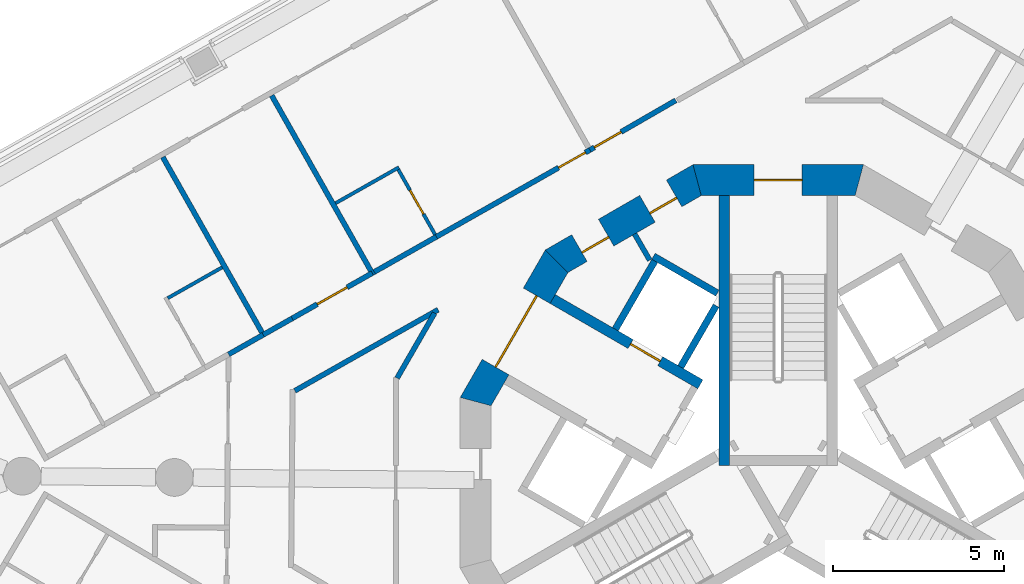
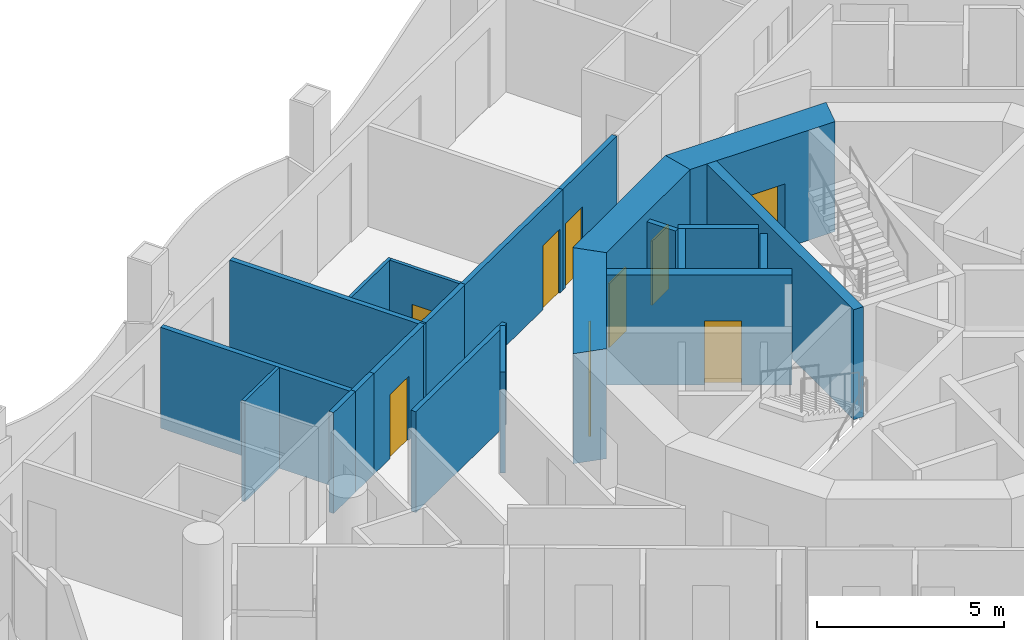
# One storey, part 7 of 17: 22 walls, 9 doors, 9 openings.
"""IFC4 building model written with IfcOpenShell, lengths in metres."""

from ifc_helpers import new_model, si_unit, direction, frame, frame_2d, origin, place, context, subcontext, project, spatial, polyline, rectangle, outline, extrude, material, layer, layer_set, type_object, element, fill, save


model = new_model("IFC4")

# Units and contexts
model_context = context("Model", 3, precision=1e-05, world=origin(), true_north=direction((0.0, 1.0)))
body_context = subcontext(model_context, "Body", "Model", "MODEL_VIEW")
ifc_project = project(units=[si_unit("LENGTHUNIT", "METRE"), si_unit("AREAUNIT", "SQUARE_METRE"), si_unit("VOLUMEUNIT", "CUBIC_METRE"), si_unit("PLANEANGLEUNIT", "RADIAN"), si_unit("MASSUNIT", "GRAM", prefix="KILO")], contexts=[model_context])

# Site, building, storey
site_placement = place(None, origin())
site = spatial("IfcSite", under=ifc_project, at=site_placement, CompositionType="ELEMENT")
building_placement = place(site_placement, origin())
building = spatial("IfcBuilding", under=site, at=building_placement, Name="Trine Commons Tower", CompositionType="ELEMENT")
storey_placement = place(building_placement, frame((0.0, 0.0, 182.699951171875)))
storey = spatial("IfcBuildingStorey", under=building, at=storey_placement, Name="L47", CompositionType="ELEMENT", Elevation=182.699951171875)

# Wall
ifc_material_1 = material(Name="Plasterboard partition on steel studs", Category="steel")
ifc_layer_1 = layer(ifc_material_1, 0.14990234375)
ifc_layer_set_1 = layer_set([ifc_layer_1], Name="Plasterboard partition on steel studs")
wall_type_1 = type_object("IfcWallType", Name="Core room partition 150 mm, EI 60", PredefinedType="PARTITIONING", material=ifc_layer_set_1)
wall_1_placement = place(storey_placement, frame((75.81396484375, 69.7509765625, 0.0), z_axis=(0.0, 0.0, 1.0), x_axis=(0.499890179513, -0.866088799389, 0.0)))
element("IfcWall", 1, at=wall_1_placement, inside=storey, type_object=wall_type_1, Name="Core room partition L47", PredefinedType="PARTITIONING", context=body_context, shape_type="SweptSolid", body=[
    extrude(rectangle(XDim=0.882080078125, YDim=0.14990234375, at=frame_2d((0.44091796875, 0.0))), origin(), (0.0, 0.0, 1.0), 3.300048828125),
])

# Wall, opening, door
ifc_material_2 = material(Name="Concrete C60/75", Category="concrete")
ifc_layer_2 = layer(ifc_material_2, 0.300048828125)
ifc_layer_set_2 = layer_set([ifc_layer_2], Name="Concrete C60/75")
wall_type_2 = type_object("IfcWallType", Name="RC shear wall 300 mm, C60/75", PredefinedType="SHEAR", material=ifc_layer_set_2)
wall_2_placement = place(storey_placement, frame((77.73095703125, 65.368896484375, 0.0), z_axis=(0.0, 0.0, 1.0), x_axis=(-0.865983655544, 0.500072303102, 0.0)))
wall_2 = element("IfcWall", 2, at=wall_2_placement, inside=storey, type_object=wall_type_2, Name="Core cross wall SWB-02 L47", PredefinedType="SHEAR", context=body_context, shape_type="SweptSolid", body=[
    extrude(rectangle(XDim=4.973388671875, YDim=0.300048828125, at=frame_2d((2.48681640625, 0.0))), origin(), (0.0, 0.0, 1.0), 3.60009765625),
])
opening_1_placement = place(wall_2_placement, frame((1.3505859375, 0.0, 0.0)))
opening_1 = element("IfcOpeningElement", 3, at=opening_1_placement, cuts=wall_2, Name="Opening LD8", PredefinedType="OPENING", context=body_context, shape_type="SweptSolid", body=[
    extrude(rectangle(XDim=1.0, YDim=2.10009765625, at=frame_2d((0.5, 1.050048828125))), frame((0.0, 0.159912109375, 0.0), z_axis=(0.0, -1.0, 0.0), x_axis=(1.0, 0.0, 0.0)), (0.0, 0.0, 1.0), 0.320068359375),
])
ifc_material_3 = material(Name="Stainless steel sliding door leaves", Category="steel")
door_type_1 = type_object("IfcDoorType", Name="Lift landing door, centre-opening sliding 1000 x 2100, FD90", OperationType="DOUBLE_DOOR_SLIDING", PredefinedType="DOOR", material=ifc_material_3)
door_1_placement = place(opening_1_placement, origin())
door_1 = element("IfcDoor", 4, at=door_1_placement, inside=storey, type_object=door_type_1, Name="Lift landing door HR4 L47", OperationType="DOUBLE_DOOR_SLIDING", OverallHeight=2.10009765625, OverallWidth=1.0, PredefinedType="DOOR", context=body_context, shape_type="SweptSolid", body=[
    extrude(rectangle(XDim=1.0, YDim=2.10009765625, at=frame_2d((0.5, 1.050048828125))), frame((0.0, 0.02490234375, 0.0), z_axis=(0.0, -1.0, 0.0), x_axis=(1.0, 0.0, 0.0)), (0.0, 0.0, 1.0), 0.050048828125),
])
fill(opening_1, door_1)

# Wall
wall_3_placement = place(storey_placement, frame((78.425048828125, 63.0009765625, 0.0), z_axis=(0.0, 0.0, 1.0), x_axis=(0.0, 1.0, 0.0)))
element("IfcWall", 5, at=wall_3_placement, inside=storey, type_object=wall_type_2, Name="Core cross wall SWB-08 L47", PredefinedType="SHEAR", context=body_context, shape_type="SweptSolid", body=[
    extrude(rectangle(XDim=7.8720703125, YDim=0.300048828125, at=frame_2d((3.93603515625, 0.0))), origin(), (0.0, 0.0, 1.0), 3.60009765625),
])

# Wall, opening, door
ifc_layer_3 = layer(ifc_material_2, 0.89990234375)
ifc_layer_set_3 = layer_set([ifc_layer_3], Name="Concrete C60/75")
wall_type_3 = type_object("IfcWallType", Name="RC shear wall 900 mm, C60/75", PredefinedType="SHEAR", material=ifc_layer_set_3)
wall_4_placement = place(storey_placement, frame((82.484619140625, 71.322998046875, 0.0), z_axis=(0.0, 0.0, 1.0), x_axis=(-1.0, 0.0, 0.0)))
wall_4 = element("IfcWall", 6, at=wall_4_placement, inside=storey, type_object=wall_type_3, Name="Core wall CWE-04 L47", PredefinedType="SHEAR", context=body_context, shape_type="SweptSolid", body=[
    extrude(outline(polyline([(0.0, -0.449951171875), (4.969482421875, -0.449951171875), (4.728271484375, 0.449951171875), (0.2412109375, 0.449951171875), (0.0, -0.449951171875)])), origin(), (0.0, 0.0, 1.0), 3.60009765625),
])
opening_2_placement = place(wall_4_placement, frame((1.78466796875, 0.0, 0.0)))
opening_2 = element("IfcOpeningElement", 7, at=opening_2_placement, cuts=wall_4, Name="Opening K10.01", PredefinedType="OPENING", context=body_context, shape_type="SweptSolid", body=[
    extrude(rectangle(XDim=1.39990234375, YDim=2.10009765625, at=frame_2d((0.699951171875, 1.050048828125))), frame((0.0, 0.4599609375, 0.0), z_axis=(0.0, -1.0, 0.0), x_axis=(1.0, 0.0, 0.0)), (0.0, 0.0, 1.0), 0.919921875),
])
ifc_material_4 = material(Name="Steel door leaves, fire-rated", Category="steel")
door_type_2 = type_object("IfcDoorType", Name="Stair door, double leaf 1400 x 2100, FD90", OperationType="DOUBLE_DOOR_SINGLE_SWING", PredefinedType="DOOR", material=ifc_material_4)
door_2_placement = place(opening_2_placement, origin())
door_2 = element("IfcDoor", 8, at=door_2_placement, inside=storey, type_object=door_type_2, Name="Stair door to Exit stair ST1B L47", OperationType="DOUBLE_DOOR_SINGLE_SWING", OverallHeight=2.10009765625, OverallWidth=1.39990234375, PredefinedType="DOOR", context=body_context, shape_type="SweptSolid", body=[
    extrude(rectangle(XDim=1.39990234375, YDim=2.10009765625, at=frame_2d((0.699951171875, 1.050048828125))), frame((0.0, 0.02490234375, 0.0), z_axis=(0.0, -1.0, 0.0), x_axis=(1.0, 0.0, 0.0)), (0.0, 0.0, 1.0), 0.050048828125),
])
fill(opening_2, door_2)

# Wall, openings, doors
wall_5_placement = place(storey_placement, frame((77.740234375, 71.38330078125, 0.0), z_axis=(0.0, 0.0, 1.0), x_axis=(-0.866003133579, -0.500038571144, 0.0)))
wall_5 = element("IfcWall", 9, at=wall_5_placement, inside=storey, type_object=wall_type_3, Name="Core wall CWE-05 L47", PredefinedType="SHEAR", context=body_context, shape_type="SweptSolid", body=[
    extrude(outline(polyline([(0.0, -0.449951171875), (4.96923828125, -0.449951171875), (4.72802734375, 0.449951171875), (0.2412109375, 0.449951171875), (0.0, -0.449951171875)])), origin(), (0.0, 0.0, 1.0), 3.60009765625),
])
opening_3_placement = place(wall_5_placement, frame((0.89501953125, 0.0, 0.0)))
opening_3 = element("IfcOpeningElement", 10, at=opening_3_placement, cuts=wall_5, Name="Opening K10.13", PredefinedType="OPENING", context=body_context, shape_type="SweptSolid", body=[
    extrude(rectangle(XDim=0.89990234375, YDim=2.10009765625, at=frame_2d((0.449951171875, 1.050048828125))), frame((0.0, 0.4599609375, 0.0), z_axis=(0.0, -1.0, 0.0), x_axis=(1.0, 0.0, 0.0)), (0.0, 0.0, 1.0), 0.919921875),
])
opening_4_placement = place(wall_5_placement, frame((3.18408203125, 0.0, 0.0)))
opening_4 = element("IfcOpeningElement", 11, at=opening_4_placement, cuts=wall_5, Name="Opening K10.14", PredefinedType="OPENING", context=body_context, shape_type="SweptSolid", body=[
    extrude(rectangle(XDim=0.89990234375, YDim=2.10009765625, at=frame_2d((0.449951171875, 1.050048828125))), frame((0.0, 0.4599609375, 0.0), z_axis=(0.0, -1.0, 0.0), x_axis=(1.0, 0.0, 0.0)), (0.0, 0.0, 1.0), 0.919921875),
])
ifc_material_5 = material(Name="Steel door leaf, fire-rated", Category="steel")
door_type_3 = type_object("IfcDoorType", Name="Core room door, single leaf 900 x 2100, FD30S", OperationType="SINGLE_SWING_LEFT", PredefinedType="DOOR", material=ifc_material_5)
door_3_placement = place(opening_3_placement, origin())
door_3 = element("IfcDoor", 12, at=door_3_placement, inside=storey, type_object=door_type_3, Name="Door to Parcel store L47", OperationType="SINGLE_SWING_LEFT", OverallHeight=2.10009765625, OverallWidth=0.89990234375, PredefinedType="DOOR", context=body_context, shape_type="SweptSolid", body=[
    extrude(rectangle(XDim=0.89990234375, YDim=2.10009765625, at=frame_2d((0.449951171875, 1.050048828125))), frame((0.0, 0.1748046875, 0.0), z_axis=(0.0, -1.0, 0.0), x_axis=(1.0, 0.0, 0.0)), (0.0, 0.0, 1.0), 0.050048828125),
])
fill(opening_3, door_3)
door_4_placement = place(opening_4_placement, origin())
door_4 = element("IfcDoor", 13, at=door_4_placement, inside=storey, type_object=door_type_3, Name="Door to Print room L47", OperationType="SINGLE_SWING_RIGHT", OverallHeight=2.10009765625, OverallWidth=0.89990234375, PredefinedType="DOOR", context=body_context, shape_type="SweptSolid", body=[
    extrude(rectangle(XDim=0.89990234375, YDim=2.10009765625, at=frame_2d((0.449951171875, 1.050048828125))), frame((0.0, 0.1748046875, 0.0), z_axis=(0.0, -1.0, 0.0), x_axis=(1.0, 0.0, 0.0)), (0.0, 0.0, 1.0), 0.050048828125),
])
fill(opening_4, door_4)

# Wall, opening, door
wall_6_placement = place(storey_placement, frame((73.6015625, 69.063232421875, 0.0), z_axis=(0.0, 0.0, 1.0), x_axis=(-0.500038571144, -0.866003133579, 0.0)))
wall_6 = element("IfcWall", 14, at=wall_6_placement, inside=storey, type_object=wall_type_3, Name="Core wall CWE-06 L47", PredefinedType="SHEAR", context=body_context, shape_type="SweptSolid", body=[
    extrude(outline(polyline([(0.0, -0.449951171875), (4.96923828125, -0.449951171875), (4.72802734375, 0.449951171875), (0.2412109375, 0.449951171875), (0.0, -0.449951171875)])), origin(), (0.0, 0.0, 1.0), 3.60009765625),
])
opening_5_placement = place(wall_6_placement, frame((1.28466796875, 0.0, 0.0)))
opening_5 = element("IfcOpeningElement", 15, at=opening_5_placement, cuts=wall_6, Name="Opening K10.06", PredefinedType="OPENING", context=body_context, shape_type="SweptSolid", body=[
    extrude(rectangle(XDim=2.39990234375, YDim=2.10009765625, at=frame_2d((1.199951171875, 1.050048828125))), frame((0.0, 0.4599609375, 0.0), z_axis=(0.0, -1.0, 0.0), x_axis=(1.0, 0.0, 0.0)), (0.0, 0.0, 1.0), 0.919921875),
])
door_type_4 = type_object("IfcDoorType", Name="Lobby door, double leaf 2400 x 2100, FD60", OperationType="DOUBLE_DOOR_SINGLE_SWING", PredefinedType="DOOR", material=ifc_material_4)
door_5_placement = place(opening_5_placement, origin())
door_5 = element("IfcDoor", 16, at=door_5_placement, inside=storey, type_object=door_type_4, Name="Lobby door, Passenger lift lobby B L47", OperationType="DOUBLE_DOOR_SINGLE_SWING", OverallHeight=2.10009765625, OverallWidth=2.39990234375, PredefinedType="DOOR", context=body_context, shape_type="SweptSolid", body=[
    extrude(rectangle(XDim=2.39990234375, YDim=2.10009765625, at=frame_2d((1.199951171875, 1.050048828125))), frame((0.0, 0.02490234375, 0.0), z_axis=(0.0, -1.0, 0.0), x_axis=(1.0, 0.0, 0.0)), (0.0, 0.0, 1.0), 0.050048828125),
])
fill(opening_5, door_5)

# Walls
ifc_material_6 = material(Name="Fire-rated gypsum shaft wall system")
ifc_layer_4 = layer(ifc_material_6, 0.199951171875)
ifc_layer_set_4 = layer_set([ifc_layer_4], Name="Fire-rated gypsum shaft wall system")
wall_type_4 = type_object("IfcWallType", Name="Shaft wall 200 mm, EI 120", PredefinedType="PARTITIONING", material=ifc_layer_set_4)
wall_7_placement = place(storey_placement, frame((75.2509765625, 66.97412109375, 0.0), z_axis=(0.0, 0.0, 1.0), x_axis=(0.500136062276, 0.86594683394, 0.0)))
element("IfcWall", 17, at=wall_7_placement, inside=storey, type_object=wall_type_4, Name="Shaft wall L47", PredefinedType="PARTITIONING", context=body_context, shape_type="SweptSolid", body=[
    extrude(rectangle(XDim=2.299072265625, YDim=0.199951171875, at=frame_2d((1.1494140625, 0.0))), origin(), (0.0, 0.0, 1.0), 3.300048828125),
])
wall_8_placement = place(storey_placement, frame((77.156005859375, 65.8740234375, 0.0), z_axis=(0.0, 0.0, 1.0), x_axis=(0.499865770674, 0.866102887253, 0.0)))
element("IfcWall", 18, at=wall_8_placement, inside=storey, type_object=wall_type_4, Name="Shaft wall L47", PredefinedType="PARTITIONING", context=body_context, shape_type="SweptSolid", body=[
    extrude(rectangle(XDim=2.064453125, YDim=0.199951171875, at=frame_2d((1.0322265625, 0.0))), origin(), (0.0, 0.0, 1.0), 3.300048828125),
])
wall_9_placement = place(storey_placement, frame((78.22509765625, 68.028076171875, 0.0), z_axis=(0.0, 0.0, 1.0), x_axis=(-0.866130725101, 0.499817533742, 0.0)))
element("IfcWall", 19, at=wall_9_placement, inside=storey, type_object=wall_type_4, Name="Shaft wall L47", PredefinedType="PARTITIONING", context=body_context, shape_type="SweptSolid", body=[
    extrude(rectangle(XDim=2.148681640625, YDim=0.199951171875, at=frame_2d((1.07421875, 0.0))), origin(), (0.0, 0.0, 1.0), 3.300048828125),
])
ifc_material_7 = material(Name="Gypsum plasterboard on steel stud", Category="steel")
ifc_layer_5 = layer(ifc_material_7, 0.14990234375)
ifc_layer_set_5 = layer_set([ifc_layer_5], Name="Gypsum plasterboard on steel stud")
wall_type_5 = type_object("IfcWallType", Name="Unit and corridor wall 150 mm, EI 60", PredefinedType="PARTITIONING", material=ifc_layer_set_5)
wall_10_placement = place(storey_placement, frame((62.0576171875, 71.9931640625, 0.0), z_axis=(0.0, 0.0, 1.0), x_axis=(0.492391211334, -0.870373997199, 0.0)))
element("IfcWall", 20, at=wall_10_placement, inside=storey, type_object=wall_type_5, Name="Partition 015", PredefinedType="PARTITIONING", context=body_context, shape_type="SweptSolid", body=[
    extrude(rectangle(XDim=5.949462890625, YDim=0.14990234375, at=frame_2d((2.974609375, 0.0))), origin(), (0.0, 0.0, 1.0), 3.300048828125),
])
wall_11_placement = place(storey_placement, frame((63.97607421875, 66.242919921875, 0.0), z_axis=(0.0, 0.0, 1.0), x_axis=(0.870234820761, 0.492637145102, 0.0)))
element("IfcWall", 21, at=wall_11_placement, inside=storey, type_object=wall_type_5, Name="Partition 022", PredefinedType="PARTITIONING", context=body_context, shape_type="SweptSolid", body=[
    extrude(rectangle(XDim=1.1650390625, YDim=0.14990234375, at=frame_2d((0.58251953125, 0.0))), origin(), (0.0, 0.0, 1.0), 3.300048828125),
])
wall_12_placement = place(storey_placement, frame((64.98388671875, 66.81298828125, 0.0), z_axis=(0.0, 0.0, 1.0), x_axis=(0.870488073498, 0.492189510145, 0.0)))
element("IfcWall", 22, at=wall_12_placement, inside=storey, type_object=wall_type_5, Name="Partition 024", PredefinedType="PARTITIONING", context=body_context, shape_type="SweptSolid", body=[
    extrude(rectangle(XDim=0.97314453125, YDim=0.14990234375, at=frame_2d((0.486572265625, 0.0))), origin(), (0.0, 0.0, 1.0), 3.300048828125),
])
wall_13_placement = place(storey_placement, frame((65.231689453125, 73.789306640625, 0.0), z_axis=(0.0, 0.0, 1.0), x_axis=(0.492495148892, -0.870315189065, 0.0)))
element("IfcWall", 23, at=wall_13_placement, inside=storey, type_object=wall_type_5, Name="Partition 026", PredefinedType="PARTITIONING", context=body_context, shape_type="SweptSolid", body=[
    extrude(rectangle(XDim=6.02490234375, YDim=0.14990234375, at=frame_2d((3.012451171875, 0.0))), origin(), (0.0, 0.0, 1.0), 3.300048828125),
])

# Wall, opening, door
wall_14_placement = place(storey_placement, frame((65.8310546875, 67.2919921875, 0.0), z_axis=(0.0, 0.0, 1.0), x_axis=(0.870269372047, 0.492576105873, 0.0)))
wall_14 = element("IfcWall", 24, at=wall_14_placement, inside=storey, type_object=wall_type_5, Name="Partition 030", PredefinedType="PARTITIONING", context=body_context, shape_type="SweptSolid", body=[
    extrude(rectangle(XDim=2.681884765625, YDim=0.14990234375, at=frame_2d((1.3408203125, 0.0))), origin(), (0.0, 0.0, 1.0), 3.300048828125),
])
opening_6_placement = place(wall_14_placement, frame((0.839111328125, 0.0, 0.0)))
opening_6 = element("IfcOpeningElement", 25, at=opening_6_placement, cuts=wall_14, Name="Opening D-5C08", PredefinedType="OPENING", context=body_context, shape_type="SweptSolid", body=[
    extrude(rectangle(XDim=1.0, YDim=2.10009765625, at=frame_2d((0.5, 1.050048828125))), frame((0.0, 0.0849609375, 0.0), z_axis=(0.0, -1.0, 0.0), x_axis=(1.0, 0.0, 0.0)), (0.0, 0.0, 1.0), 0.169921875),
])
ifc_material_8 = material(Name="Painted timber", Category="wood")
door_type_5 = type_object("IfcDoorType", Name="Amenity room door 1000 x 2100, NOT RATED", OperationType="NOTDEFINED", PredefinedType="DOOR", material=ifc_material_8)
door_6_placement = place(opening_6_placement, origin())
door_6 = element("IfcDoor", 26, at=door_6_placement, inside=storey, type_object=door_type_5, Name="Door D-5C08", OperationType="SINGLE_SWING_LEFT", OverallHeight=2.10009765625, OverallWidth=1.0, PredefinedType="DOOR", context=body_context, shape_type="SweptSolid", body=[
    extrude(rectangle(XDim=1.0, YDim=2.10009765625, at=frame_2d((0.5, 1.050048828125))), frame((0.0, 0.02490234375, 0.0), z_axis=(0.0, -1.0, 0.0), x_axis=(1.0, 0.0, 0.0)), (0.0, 0.0, 1.0), 0.050048828125),
])
fill(opening_6, door_6)

# Walls
wall_15_placement = place(storey_placement, frame((65.9072265625, 65.180908203125, 0.0), z_axis=(0.0, 0.0, 1.0), x_axis=(0.870373278687, 0.492392481408, 0.0)))
element("IfcWall", 27, at=wall_15_placement, inside=storey, type_object=wall_type_5, Name="Partition 031", PredefinedType="PARTITIONING", context=body_context, shape_type="SweptSolid", body=[
    extrude(rectangle(XDim=4.799072265625, YDim=0.14990234375, at=frame_2d((2.3994140625, 0.0))), origin(), (0.0, 0.0, 1.0), 3.300048828125),
])
wall_16_placement = place(storey_placement, frame((68.224365234375, 68.64599609375, 0.0), z_axis=(0.0, 0.0, 1.0), x_axis=(0.870106004403, 0.492864627562, 0.0)))
element("IfcWall", 28, at=wall_16_placement, inside=storey, type_object=wall_type_5, Name="Partition 034", PredefinedType="PARTITIONING", context=body_context, shape_type="SweptSolid", body=[
    extrude(rectangle(XDim=2.08203125, YDim=0.14990234375, at=frame_2d((1.041015625, 0.0))), origin(), (0.0, 0.0, 1.0), 3.300048828125),
])
wall_17_placement = place(storey_placement, frame((68.889404296875, 65.552001953125, 0.0), z_axis=(0.0, 0.0, 1.0), x_axis=(0.499825543119, 0.866126103086, 0.0)))
element("IfcWall", 29, at=wall_17_placement, inside=storey, type_object=wall_type_5, Name="Partition 037", PredefinedType="PARTITIONING", context=body_context, shape_type="SweptSolid", body=[
    extrude(rectangle(XDim=2.186767578125, YDim=0.14990234375, at=frame_2d((1.09326171875, 0.0))), origin(), (0.0, 0.0, 1.0), 3.300048828125),
])

# Wall, opening, door
wall_18_placement = place(storey_placement, frame((69.986572265625, 69.643310546875, 0.0), z_axis=(0.0, 0.0, 1.0), x_axis=(0.870328275293, 0.492472022785, 0.0)))
wall_18 = element("IfcWall", 30, at=wall_18_placement, inside=storey, type_object=wall_type_5, Name="Partition 039", PredefinedType="PARTITIONING", context=body_context, shape_type="SweptSolid", body=[
    extrude(rectangle(XDim=5.197509765625, YDim=0.14990234375, at=frame_2d((2.5986328125, 0.0))), origin(), (0.0, 0.0, 1.0), 3.300048828125),
])
opening_7_placement = place(wall_18_placement, frame((4.1474609375, 0.0, 0.0)))
opening_7 = element("IfcOpeningElement", 31, at=opening_7_placement, cuts=wall_18, Name="Opening D-5C09", PredefinedType="OPENING", context=body_context, shape_type="SweptSolid", body=[
    extrude(rectangle(XDim=0.89990234375, YDim=2.10009765625, at=frame_2d((0.449951171875, 1.050048828125))), frame((0.0, 0.0849609375, 0.0), z_axis=(0.0, -1.0, 0.0), x_axis=(1.0, 0.0, 0.0)), (0.0, 0.0, 1.0), 0.169921875),
])
ifc_material_9 = material(Name="Timber fire door set", Category="wood")
door_type_6 = type_object("IfcDoorType", Name="Bedroom door 900 x 2100, FD30S", OperationType="NOTDEFINED", PredefinedType="DOOR", material=ifc_material_9)
door_7_placement = place(opening_7_placement, origin())
door_7 = element("IfcDoor", 32, at=door_7_placement, inside=storey, type_object=door_type_6, Name="Door D-5C09", OperationType="SINGLE_SWING_RIGHT", OverallHeight=2.10009765625, OverallWidth=0.89990234375, PredefinedType="DOOR", context=body_context, shape_type="SweptSolid", body=[
    extrude(rectangle(XDim=0.89990234375, YDim=2.10009765625, at=frame_2d((0.449951171875, 1.050048828125))), frame((0.0, 0.02490234375, 0.0), z_axis=(0.0, -1.0, 0.0), x_axis=(1.0, 0.0, 0.0)), (0.0, 0.0, 1.0), 0.050048828125),
])
fill(opening_7, door_7)

wall_19_placement = place(storey_placement, frame((74.510009765625, 72.202880859375, 0.0), z_axis=(0.0, 0.0, 1.0), x_axis=(0.86602521942, 0.500000319328, 0.0)))
wall_19 = element("IfcWall", 33, at=wall_19_placement, inside=storey, type_object=wall_type_5, Name="Partition 044", PredefinedType="PARTITIONING", context=body_context, shape_type="SweptSolid", body=[
    extrude(rectangle(XDim=2.89013671875, YDim=0.14990234375, at=frame_2d((1.445068359375, 0.0))), origin(), (0.0, 0.0, 1.0), 3.300048828125),
])
opening_8_placement = place(wall_19_placement, frame((0.14990234375, 0.0, 0.0)))
opening_8 = element("IfcOpeningElement", 34, at=opening_8_placement, cuts=wall_19, Name="Opening D-5C10", PredefinedType="OPENING", context=body_context, shape_type="SweptSolid", body=[
    extrude(rectangle(XDim=0.89990234375, YDim=2.10009765625, at=frame_2d((0.449951171875, 1.050048828125))), frame((0.0, 0.0849609375, 0.0), z_axis=(0.0, -1.0, 0.0), x_axis=(1.0, 0.0, 0.0)), (0.0, 0.0, 1.0), 0.169921875),
])
door_8_placement = place(opening_8_placement, origin())
door_8 = element("IfcDoor", 35, at=door_8_placement, inside=storey, type_object=door_type_6, Name="Door D-5C10", OperationType="SINGLE_SWING_LEFT", OverallHeight=2.10009765625, OverallWidth=0.89990234375, PredefinedType="DOOR", context=body_context, shape_type="SweptSolid", body=[
    extrude(rectangle(XDim=0.89990234375, YDim=2.10009765625, at=frame_2d((0.449951171875, 1.050048828125))), frame((0.0, 0.02490234375, 0.0), z_axis=(0.0, -1.0, 0.0), x_axis=(1.0, 0.0, 0.0)), (0.0, 0.0, 1.0), 0.050048828125),
])
fill(opening_8, door_8)

# Walls
ifc_layer_6 = layer(ifc_material_7, 0.10009765625)
ifc_layer_set_6 = layer_set([ifc_layer_6], Name="Gypsum plasterboard on steel stud")
wall_type_6 = type_object("IfcWallType", Name="Unit partition 100 mm, no rating", PredefinedType="PARTITIONING", material=ifc_layer_set_6)
wall_20_placement = place(storey_placement, frame((62.201416015625, 67.881591796875, 0.0), z_axis=(0.0, 0.0, 1.0), x_axis=(0.870408310006, 0.492330553462, 0.0)))
element("IfcWall", 36, at=wall_20_placement, inside=storey, type_object=wall_type_6, Name="Partition 017", PredefinedType="PARTITIONING", context=body_context, shape_type="SweptSolid", body=[
    extrude(rectangle(XDim=1.824951171875, YDim=0.10009765625, at=frame_2d((0.91259765625, 0.0))), origin(), (0.0, 0.0, 1.0), 3.300048828125),
])
wall_21_placement = place(storey_placement, frame((67.09423828125, 70.64990234375, 0.0), z_axis=(0.0, 0.0, 1.0), x_axis=(0.870293094697, 0.492534191019, 0.0)))
element("IfcWall", 37, at=wall_21_placement, inside=storey, type_object=wall_type_6, Name="Partition 032", PredefinedType="PARTITIONING", context=body_context, shape_type="SweptSolid", body=[
    extrude(rectangle(XDim=2.125, YDim=0.10009765625, at=frame_2d((1.0625, 0.0))), origin(), (0.0, 0.0, 1.0), 3.300048828125),
])

# Wall, opening, door
wall_22_placement = place(storey_placement, frame((68.924560546875, 71.62841796875, 0.0), z_axis=(0.0, 0.0, 1.0), x_axis=(0.492593408535, -0.870259578441, 0.0)))
wall_22 = element("IfcWall", 38, at=wall_22_placement, inside=storey, type_object=wall_type_6, Name="Partition 038", PredefinedType="PARTITIONING", context=body_context, shape_type="SweptSolid", body=[
    extrude(rectangle(XDim=2.17529296875, YDim=0.10009765625, at=frame_2d((1.087646484375, 0.0))), origin(), (0.0, 0.0, 1.0), 3.300048828125),
])
opening_9_placement = place(wall_22_placement, frame((0.6875, 0.0, 0.0)))
opening_9 = element("IfcOpeningElement", 39, at=opening_9_placement, cuts=wall_22, Name="Opening D-5C35", PredefinedType="OPENING", context=body_context, shape_type="SweptSolid", body=[
    extrude(rectangle(XDim=0.800048828125, YDim=2.10009765625, at=frame_2d((0.39990234375, 1.050048828125))), frame((0.0, 0.06005859375, 0.0), z_axis=(0.0, -1.0, 0.0), x_axis=(1.0, 0.0, 0.0)), (0.0, 0.0, 1.0), 0.1201171875),
])
door_type_7 = type_object("IfcDoorType", Name="Internal door 800 x 2100, NOT RATED", OperationType="NOTDEFINED", PredefinedType="DOOR", material=ifc_material_8)
door_9_placement = place(opening_9_placement, origin())
door_9 = element("IfcDoor", 40, at=door_9_placement, inside=storey, type_object=door_type_7, Name="Door D-5C35", OperationType="SINGLE_SWING_LEFT", OverallHeight=2.10009765625, OverallWidth=0.800048828125, PredefinedType="DOOR", context=body_context, shape_type="SweptSolid", body=[
    extrude(rectangle(XDim=0.800048828125, YDim=2.10009765625, at=frame_2d((0.39990234375, 1.050048828125))), frame((0.0, 0.02490234375, 0.0), z_axis=(0.0, -1.0, 0.0), x_axis=(1.0, 0.0, 0.0)), (0.0, 0.0, 1.0), 0.050048828125),
])
fill(opening_9, door_9)

save(model, "model.ifc")
